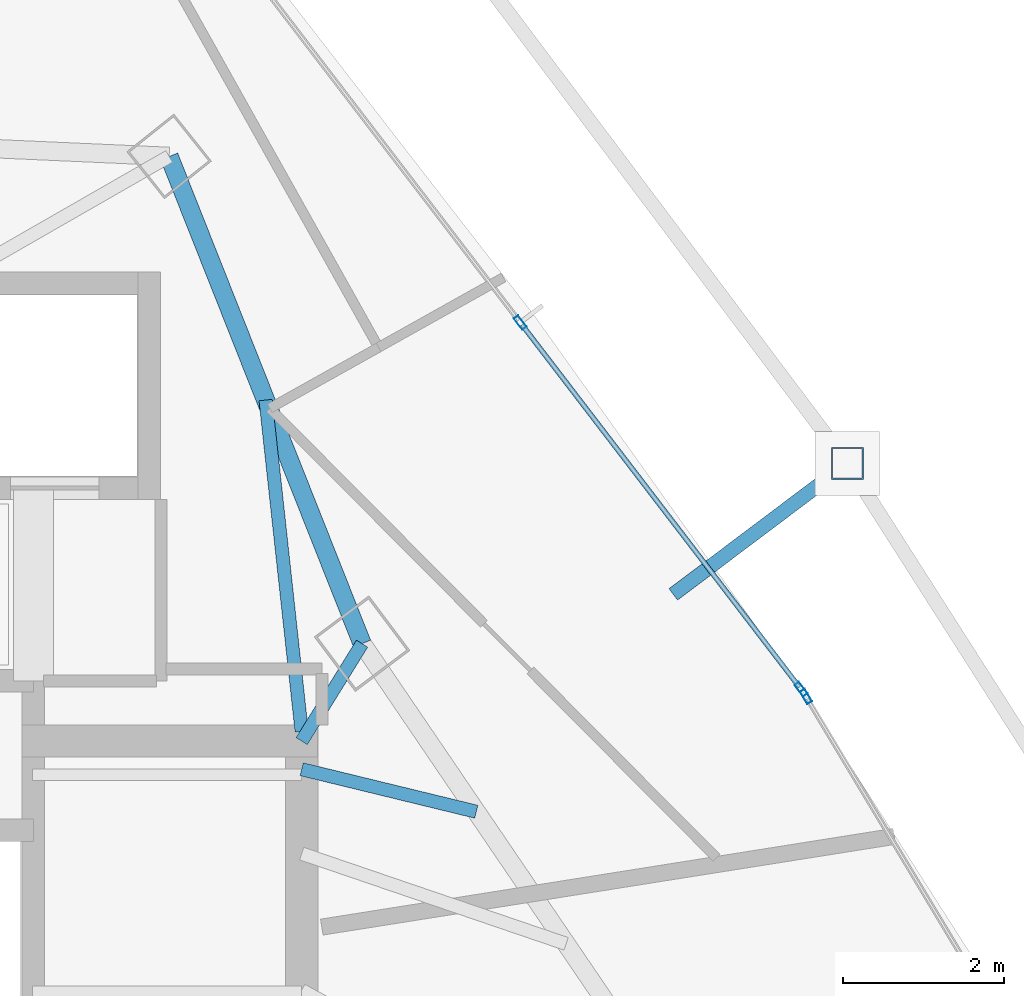
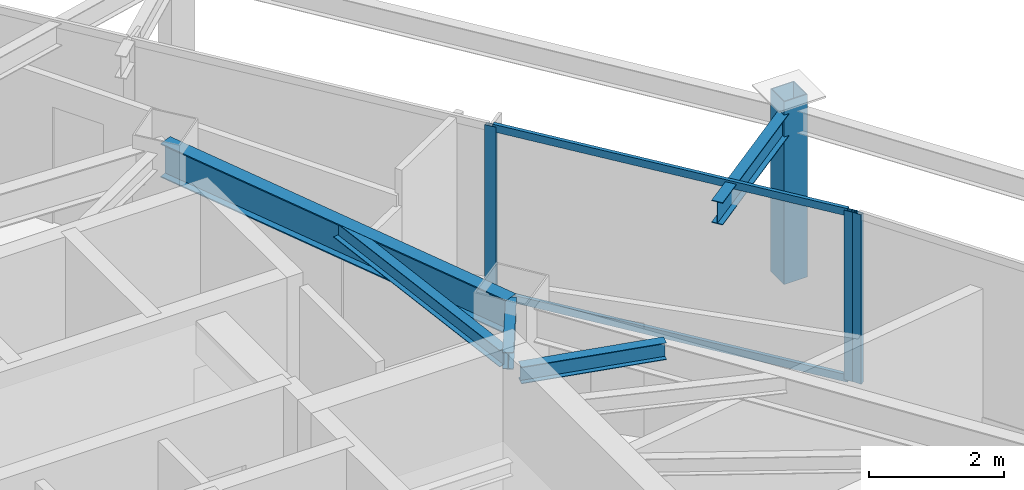
# One storey, part 25 of 33: 6 members, 5 beams, 2 elements without a shape of their own.
"""IFC4 building model written with IfcOpenShell, lengths in metres."""

from ifc_helpers import new_model, si_unit, direction, frame, origin, origin_2d, place, context, subcontext, project, spatial, hollow_rectangle, i_section, extrude, material, layer, layer_set, material_profile, profile_set, type_object, element, aggregate, save


model = new_model("IFC4")

# Units and contexts
model_context = context("Model", 3, precision=1e-05, world=origin(), true_north=direction((0.0, 1.0)))
body_context = subcontext(model_context, "Body", "Model", "MODEL_VIEW")
ifc_project = project(units=[si_unit("LENGTHUNIT", "METRE"), si_unit("AREAUNIT", "SQUARE_METRE"), si_unit("VOLUMEUNIT", "CUBIC_METRE"), si_unit("PLANEANGLEUNIT", "RADIAN"), si_unit("MASSUNIT", "GRAM", prefix="KILO")], contexts=[model_context])

# Site, building, storey
site_placement = place(None, origin())
site = spatial("IfcSite", under=ifc_project, at=site_placement, CompositionType="ELEMENT")
building_placement = place(site_placement, origin())
building = spatial("IfcBuilding", under=site, at=building_placement, Name="Orvanel Arch Residences", CompositionType="ELEMENT")
storey_placement = place(building_placement, frame((0.0, 0.0, 123.199951171875)))
storey = spatial("IfcBuildingStorey", under=building, at=storey_placement, Name="L34", CompositionType="ELEMENT", Elevation=123.199951171875)

# Beams
ifc_material_1 = material(Name="Structural steel AS/NZS 3679.1 Grade 300 (300 MPa)", Category="steel")
ifc_material_profile_1 = material_profile(ifc_material_1, i_section(OverallWidth=0.1650390625, OverallDepth=0.303955078125, WebThickness=0.006103515625, FlangeThickness=0.01025390625, at=origin_2d()), Name="310UB40.4")
ifc_profile_set_1 = profile_set([ifc_material_profile_1], Name="Structural steel AS/NZS 3679.1 Grade 300 (300 MPa)")
beam_type_1 = type_object("IfcBeamType", Name="BJ-310UB", PredefinedType="JOIST", material=ifc_profile_set_1)
beam_1_placement = place(storey_placement, frame((39.60009765625, 33.89990234375, 2.907958984375), z_axis=(0.526843290616, 0.84996243866, 0.0), x_axis=(-0.84996243866, 0.526843290616, 0.0)))
element("IfcBeam", 1, at=beam_1_placement, inside=storey, type_object=beam_type_1, Name="L34 NNE Wing Floor Joist", PredefinedType="JOIST", context=body_context, shape_type="SweptSolid", body=[
    extrude(i_section(OverallWidth=0.1650390625, OverallDepth=0.303955078125, WebThickness=0.006103515625, FlangeThickness=0.01025390625, at=origin_2d()), origin(), (0.0, 0.0, 1.0), 1.42724609375),
])
beam_2_placement = place(storey_placement, frame((39.60009765625, 34.02001953125, 2.907958984375), z_axis=(-0.108261441852, 0.99412245735, 0.0), x_axis=(-0.99412245735, -0.108261441852, 0.0)))
element("IfcBeam", 2, at=beam_2_placement, inside=storey, type_object=beam_type_1, Name="L34 NNE2 Wing Floor Joist", PredefinedType="JOIST", context=body_context, shape_type="SweptSolid", body=[
    extrude(i_section(OverallWidth=0.1650390625, OverallDepth=0.303955078125, WebThickness=0.006103515625, FlangeThickness=0.01025390625, at=origin_2d()), origin(), (0.0, 0.0, 1.0), 4.1494140625),
])
beam_3_placement = place(storey_placement, frame((39.60009765625, 33.550048828125, 2.907958984375), z_axis=(0.971638471014, -0.236471312521, 0.0), x_axis=(0.236471312521, 0.971638471014, 0.0)))
element("IfcBeam", 3, at=beam_3_placement, inside=storey, type_object=beam_type_1, Name="L34 JADD4 Wing Floor Joist", PredefinedType="JOIST", context=body_context, shape_type="SweptSolid", body=[
    extrude(i_section(OverallWidth=0.1650390625, OverallDepth=0.303955078125, WebThickness=0.006103515625, FlangeThickness=0.01025390625, at=origin_2d()), origin(), (0.0, 0.0, 1.0), 2.2373046875),
])

# Curtain wall, member
ifc_material_2 = material(Name="Bronze-anodised aluminium AA6063-T6", Category="aluminium")
ifc_layer = layer(ifc_material_2, 0.179931640625)
ifc_layer_set = layer_set([ifc_layer], Name="Bronze-anodised aluminium AA6063-T6")
curtain_wall_type = type_object("IfcCurtainWallType", Name="CW3-MID-SYS", PredefinedType="NOTDEFINED", material=ifc_layer_set)
curtain_wall_1_placement = place(storey_placement, origin())
curtain_wall_1 = element("IfcCurtainWall", 4, at=curtain_wall_1_placement, inside=storey, type_object=curtain_wall_type, Name="L34 CW3-MID-SYS Unitised Curtain Wall", PredefinedType="NOTDEFINED")
ifc_material_profile_2 = material_profile(ifc_material_2, hollow_rectangle(XDim=0.070068359375, YDim=0.179931640625, WallThickness=0.00439453125, at=origin_2d()), Name="ALU180x70x4.5")
ifc_profile_set_2 = profile_set([ifc_material_profile_2], Name="Bronze-anodised aluminium AA6063-T6")
member_type_1 = type_object("IfcMemberType", Name="MUL-180x70", PredefinedType="MULLION", material=ifc_profile_set_2)
member_1_placement = place(storey_placement, frame((45.8779296875, 34.455078125, 0.0), z_axis=(0.0, 0.0, 1.0), x_axis=(-0.857515978834, -0.514457331608, 0.0)))
member_1 = element("IfcMember", 5, at=member_1_placement, type_object=member_type_1, Name="CW-S3 mullion 3", PredefinedType="MULLION", context=body_context, shape_type="SweptSolid", body=[
    extrude(hollow_rectangle(XDim=0.070068359375, YDim=0.179931640625, WallThickness=0.00439453125, at=origin_2d()), origin(), (0.0, 0.0, 1.0), 3.06005859375),
])
aggregate(curtain_wall_1, [member_1])

# Curtain wall, members
curtain_wall_2_placement = place(storey_placement, origin())
curtain_wall_2 = element("IfcCurtainWall", 6, at=curtain_wall_2_placement, inside=storey, type_object=curtain_wall_type, Name="L34 CW3-MID-SYS Unitised Curtain Wall", PredefinedType="NOTDEFINED")
member_2_placement = place(storey_placement, frame((45.816650390625, 34.5458984375, 0.0), z_axis=(0.0, 0.0, 1.0), x_axis=(-0.793866900823, -0.608091558713, 0.0)))
member_2 = element("IfcMember", 7, at=member_2_placement, type_object=member_type_1, Name="CW-S3 mullion 1", PredefinedType="MULLION", context=body_context, shape_type="SweptSolid", body=[
    extrude(hollow_rectangle(XDim=0.070068359375, YDim=0.179931640625, WallThickness=0.00439453125, at=origin_2d()), origin(), (0.0, 0.0, 1.0), 3.06005859375),
])
member_3_placement = place(storey_placement, frame((42.3203125, 39.1103515625, 0.0), z_axis=(0.0, 0.0, 1.0), x_axis=(-0.793866900823, -0.608091558713, 0.0)))
member_3 = element("IfcMember", 8, at=member_3_placement, type_object=member_type_1, Name="CW-S3 mullion 2", PredefinedType="MULLION", context=body_context, shape_type="SweptSolid", body=[
    extrude(hollow_rectangle(XDim=0.070068359375, YDim=0.179931640625, WallThickness=0.00439453125, at=origin_2d()), origin(), (0.0, 0.0, 1.0), 3.06005859375),
])

# Beams
ifc_material_profile_3 = material_profile(ifc_material_1, i_section(OverallWidth=0.177978515625, OverallDepth=0.406005859375, WebThickness=0.0078125, FlangeThickness=0.0126953125, at=origin_2d()), Name="410UB59.7")
ifc_profile_set_3 = profile_set([ifc_material_profile_3], Name="Structural steel AS/NZS 3679.1 Grade 300 (300 MPa)")
beam_type_2 = type_object("IfcBeamType", Name="OB-410UB-EXT", PredefinedType="SPANDREL", material=ifc_profile_set_3)
beam_4_placement = place(storey_placement, frame((44.22509765625, 35.72607421875, 2.85693359375), z_axis=(0.799178103398, 0.601094301294, 0.0), x_axis=(-0.601094301294, 0.799178103398, 0.0)))
element("IfcBeam", 9, at=beam_4_placement, inside=storey, type_object=beam_type_2, Name="L34 Outer Frame Radial Tie Beam 11", PredefinedType="SPANDREL", context=body_context, shape_type="SweptSolid", body=[
    extrude(i_section(OverallWidth=0.177978515625, OverallDepth=0.406005859375, WebThickness=0.0078125, FlangeThickness=0.0126953125, at=origin_2d()), origin(), (0.0, 0.0, 1.0), 2.71142578125),
])
ifc_material_profile_4 = material_profile(ifc_material_1, i_section(OverallWidth=0.22900390625, OverallDepth=0.612060546875, WebThickness=0.011962890625, FlangeThickness=0.01953125, at=origin_2d()), Name="610UB125")
ifc_profile_set_4 = profile_set([ifc_material_profile_4], Name="Structural steel AS/NZS 3679.1 Grade 300 (300 MPa)")
beam_type_3 = type_object("IfcBeamType", Name="SP-610UB", PredefinedType="SPANDREL", material=ifc_profile_set_4)
beam_5_placement = place(storey_placement, frame((40.35205078125, 35.113037109375, 2.754150390625), z_axis=(-0.368233143579, 0.929733484376, 0.0), x_axis=(-0.929733484376, -0.368233143579, 0.0)))
element("IfcBeam", 10, at=beam_5_placement, inside=storey, type_object=beam_type_3, Name="L34 Perimeter Spandrel Beam 13", PredefinedType="SPANDREL", context=body_context, shape_type="SweptSolid", body=[
    extrude(i_section(OverallWidth=0.22900390625, OverallDepth=0.612060546875, WebThickness=0.011962890625, FlangeThickness=0.01953125, at=origin_2d()), origin(), (0.0, 0.0, 1.0), 6.523193359375),
])

# Member
ifc_material_3 = material(Name="Structural steel AS/NZS 1163 C450L0 (Grade 450)", Category="steel")
ifc_material_profile_5 = material_profile(ifc_material_3, hollow_rectangle(XDim=0.39990234375, YDim=0.39990234375, WallThickness=0.01611328125, at=origin_2d()), Name="SHS400x400x16")
ifc_profile_set_5 = profile_set([ifc_material_profile_5], Name="Structural steel AS/NZS 1163 C450L0 (Grade 450)")
member_type_2 = type_object("IfcMemberType", Name="ST-400SHS-EXT", PredefinedType="STRUT", material=ifc_profile_set_5)
member_4_placement = place(storey_placement, frame((46.39208984375, 37.35595703125, 0.0), z_axis=(0.0, 0.0, 1.0), x_axis=(1.0, 0.0, 0.0)))
element("IfcMember", 11, at=member_4_placement, inside=storey, type_object=member_type_2, Name="L34 Outer Perimeter Frame Post 11", PredefinedType="STRUT", context=body_context, shape_type="SweptSolid", body=[
    extrude(hollow_rectangle(XDim=0.39990234375, YDim=0.39990234375, WallThickness=0.01611328125, at=origin_2d()), origin(), (0.0, 0.0, 1.0), 3.300048828125),
])

ifc_material_profile_6 = material_profile(ifc_material_2, hollow_rectangle(XDim=0.06005859375, YDim=0.135009765625, WallThickness=0.00390625, at=origin_2d()), Name="ALU135x60x4")
ifc_profile_set_6 = profile_set([ifc_material_profile_6], Name="Bronze-anodised aluminium AA6063-T6")
member_type_3 = type_object("IfcMemberType", Name="TRN-135x60", PredefinedType="USERDEFINED", material=ifc_profile_set_6)
member_5_placement = place(storey_placement, frame((45.79541015625, 34.573486328125, 0.030029296875), z_axis=(-0.608091287366, 0.793867108671, 0.0), x_axis=(-0.793867108671, -0.608091287366, 0.0)))
member_5 = element("IfcMember", 12, at=member_5_placement, type_object=member_type_3, Name="CW-S3 transom 1.1", ObjectType="TRANSOM", PredefinedType="USERDEFINED", context=body_context, shape_type="SweptSolid", body=[
    extrude(hollow_rectangle(XDim=0.06005859375, YDim=0.135009765625, WallThickness=0.00390625, at=origin_2d()), origin(), (0.0, 0.0, 1.0), 5.679931640625),
])

member_6_placement = place(storey_placement, frame((45.79541015625, 34.573486328125, 3.030029296875), z_axis=(-0.608091287366, 0.793867108671, 0.0), x_axis=(-0.793867108671, -0.608091287366, 0.0)))
member_6 = element("IfcMember", 13, at=member_6_placement, type_object=member_type_3, Name="CW-S3 transom 1.2", ObjectType="TRANSOM", PredefinedType="USERDEFINED", context=body_context, shape_type="SweptSolid", body=[
    extrude(hollow_rectangle(XDim=0.06005859375, YDim=0.135009765625, WallThickness=0.00390625, at=origin_2d()), origin(), (0.0, 0.0, 1.0), 5.679931640625),
])

aggregate(curtain_wall_2, [member_2, member_3, member_5, member_6])

save(model, "model.ifc")
